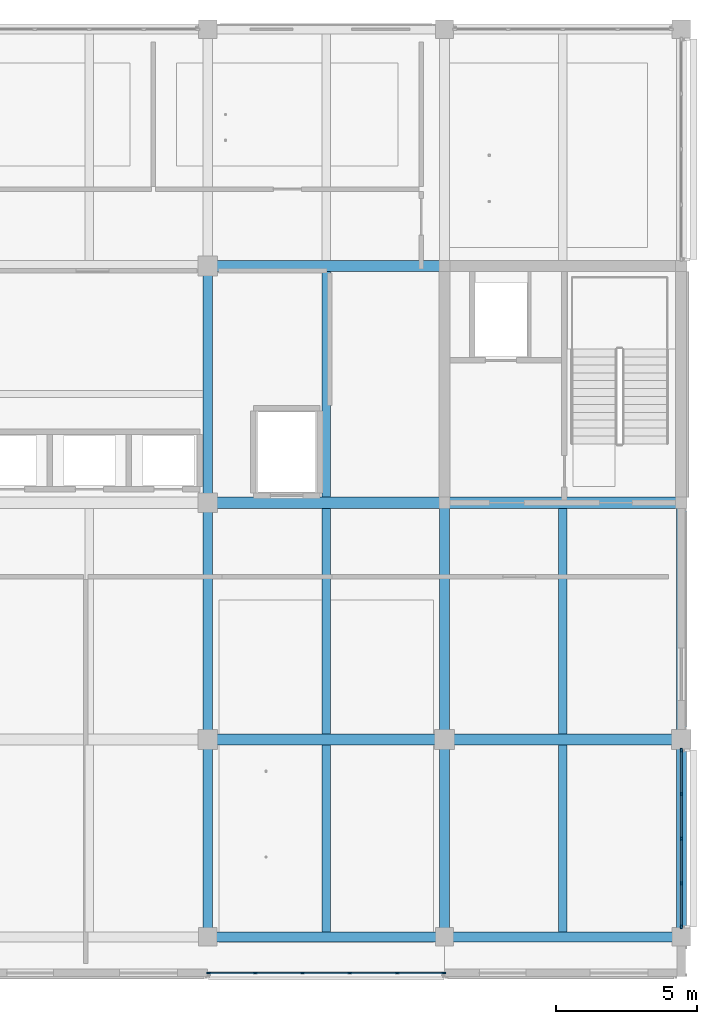
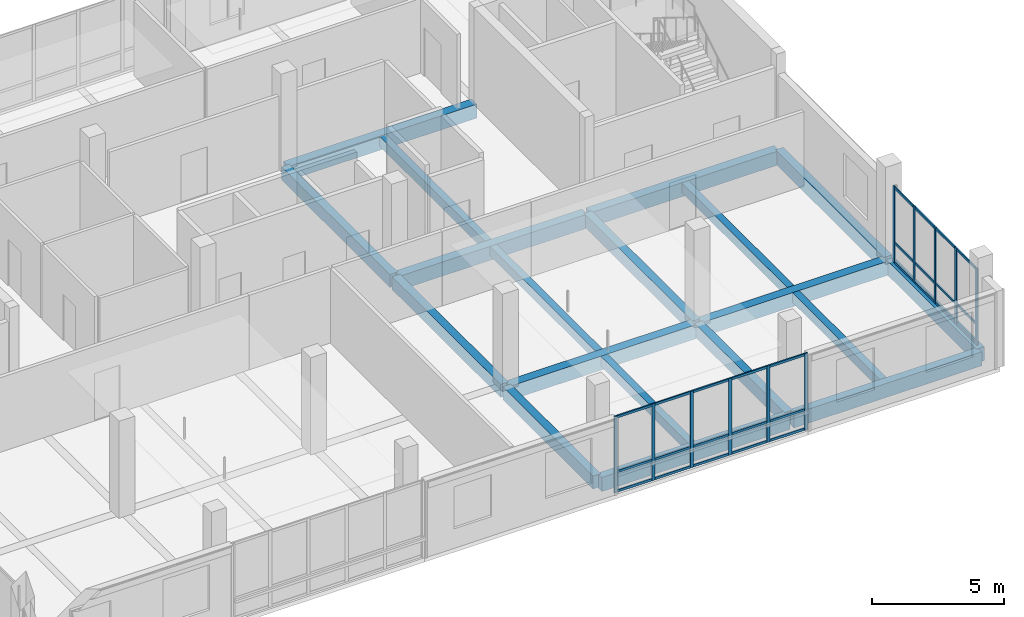
# One storey, part 4 of 28: 38 members, 19 beams, 2 elements without a shape of their own.
"""IFC4 building model written with IfcOpenShell, lengths in metres."""

from ifc_helpers import new_model, si_unit, direction, frame, origin, origin_2d, place, context, subcontext, project, spatial, rectangle, extrude, material, layer, layer_set, material_profile, profile_set, type_object, element, aggregate, save


model = new_model("IFC4")

# Units and contexts
model_context = context("Model", 3, precision=1e-05, world=origin(), true_north=direction((0.0, 1.0)))
body_context = subcontext(model_context, "Body", "Model", "MODEL_VIEW")
ifc_project = project(units=[si_unit("LENGTHUNIT", "METRE"), si_unit("AREAUNIT", "SQUARE_METRE"), si_unit("VOLUMEUNIT", "CUBIC_METRE"), si_unit("PLANEANGLEUNIT", "RADIAN"), si_unit("MASSUNIT", "GRAM", prefix="KILO")], contexts=[model_context])

# Site, building, storey
site_placement = place(None, origin())
site = spatial("IfcSite", under=ifc_project, at=site_placement, CompositionType="ELEMENT")
building_placement = place(site_placement, origin())
building = spatial("IfcBuilding", under=site, at=building_placement, Name="Telukmera Botanical Conservatory", CompositionType="ELEMENT")
storey_placement = place(building_placement, frame((0.0, 0.0, 51.0)))
storey = spatial("IfcBuildingStorey", under=building, at=storey_placement, Name="L11", CompositionType="ELEMENT", Elevation=51.0)

# Beams
ifc_material_1 = material(Name="Concrete C40/50", Category="concrete")
ifc_material_profile_1 = material_profile(ifc_material_1, rectangle(XDim=0.300048828125, YDim=0.449951171875, at=origin_2d()), Name="RC 300x450")
ifc_profile_set_1 = profile_set([ifc_material_profile_1], Name="Concrete C40/50")
beam_type_1 = type_object("IfcBeamType", Name="Beam_B25", PredefinedType="JOIST", material=ifc_profile_set_1)
beam_1_placement = place(storey_placement, frame((88.199951171875, 10.77490234375, -0.22509765625), z_axis=(0.0, 1.0, 0.0), x_axis=(-1.0, 0.0, 0.0)))
element("IfcBeam", 1, at=beam_1_placement, inside=storey, type_object=beam_type_1, Name="Tower Secondary Floor Joist L11", PredefinedType="JOIST", context=body_context, shape_type="SweptSolid", body=[
    extrude(rectangle(XDim=0.300048828125, YDim=0.449951171875, at=origin_2d()), origin(), (0.0, 0.0, 1.0), 6.625),
])
for number, where, z_axis, x_axis, name in (
    (2, (88.199951171875, 17.800048828125, -0.22509765625), (0.0, 1.0, 0.0), (-1.0, 0.0, 0.0), "Tower Secondary Floor Joist L11"),
    (3, (88.199951171875, 26.199951171875, -0.22509765625), (0.0, 1.0, 0.0), (-1.0, 0.0, 0.0), "Tower Secondary Floor Joist L11"),
):
    element("IfcBeam", number, at=place(storey_placement, frame(where, z_axis=z_axis, x_axis=x_axis)), inside=storey, type_object=beam_type_1, Name=name, PredefinedType="JOIST", context=body_context, shape_type="SweptSolid", body=[
        extrude(rectangle(XDim=0.300048828125, YDim=0.449951171875, at=origin_2d()), origin(), (0.0, 0.0, 1.0), 8.0),
    ])
beam_2_placement = place(storey_placement, frame((96.60009765625, 10.77490234375, -0.22509765625), z_axis=(0.0, 1.0, 0.0), x_axis=(-1.0, 0.0, 0.0)))
element("IfcBeam", 4, at=beam_2_placement, inside=storey, type_object=beam_type_1, Name="Tower Secondary Floor Joist L11", PredefinedType="JOIST", context=body_context, shape_type="SweptSolid", body=[
    extrude(rectangle(XDim=0.300048828125, YDim=0.449951171875, at=origin_2d()), origin(), (0.0, 0.0, 1.0), 6.625),
])
beam_3_placement = place(storey_placement, frame((96.60009765625, 17.800048828125, -0.22509765625), z_axis=(0.0, 1.0, 0.0), x_axis=(-1.0, 0.0, 0.0)))
element("IfcBeam", 5, at=beam_3_placement, inside=storey, type_object=beam_type_1, Name="Tower Secondary Floor Joist L11", PredefinedType="JOIST", context=body_context, shape_type="SweptSolid", body=[
    extrude(rectangle(XDim=0.300048828125, YDim=0.449951171875, at=origin_2d()), origin(), (0.0, 0.0, 1.0), 8.0),
])
ifc_material_profile_2 = material_profile(ifc_material_1, rectangle(XDim=0.39990234375, YDim=0.64990234375, at=origin_2d()), Name="RC 400x650")
ifc_profile_set_2 = profile_set([ifc_material_profile_2], Name="Concrete C40/50")
beam_type_2 = type_object("IfcBeamType", Name="Beam_B8", PredefinedType="BEAM", material=ifc_profile_set_2)
for number, where, z_axis, x_axis, name in (
    (6, (84.080078125, 17.60009765625, -0.324951171875), (1.0, 0.0, 0.0), (0.0, 1.0, 0.0), "Tower Grid Beam L11"),
    (7, (92.47998046875, 17.60009765625, -0.324951171875), (1.0, 0.0, 0.0), (0.0, 1.0, 0.0), "Tower Grid Beam L11"),
    (8, (84.080078125, 26.0, -0.324951171875), (1.0, 0.0, 0.0), (0.0, 1.0, 0.0), "Tower Grid Beam L11"),
    (9, (92.47998046875, 26.0, -0.324951171875), (1.0, 0.0, 0.0), (0.0, 1.0, 0.0), "Tower Grid Beam L11"),
    (10, (84.080078125, 34.39990234375, -0.324951171875), (1.0, 0.0, 0.0), (0.0, 1.0, 0.0), "Tower Grid Beam L11"),
):
    element("IfcBeam", number, at=place(storey_placement, frame(where, z_axis=z_axis, x_axis=x_axis)), inside=storey, type_object=beam_type_2, Name=name, PredefinedType="BEAM", context=body_context, shape_type="SweptSolid", body=[
        extrude(rectangle(XDim=0.39990234375, YDim=0.64990234375, at=origin_2d()), origin(), (0.0, 0.0, 1.0), 8.239990234375),
    ])
ifc_material_profile_3 = material_profile(ifc_material_1, rectangle(XDim=0.35009765625, YDim=0.60009765625, at=origin_2d()), Name="RC 350x600")
ifc_profile_set_3 = profile_set([ifc_material_profile_3], Name="Concrete C40/50")
beam_type_3 = type_object("IfcBeamType", Name="Beam_B9", PredefinedType="BEAM", material=ifc_profile_set_3)
beam_4_placement = place(storey_placement, frame((84.0, 10.679931640625, -0.300048828125), z_axis=(0.0, 1.0, 0.0), x_axis=(-1.0, 0.0, 0.0)))
element("IfcBeam", 11, at=beam_4_placement, inside=storey, type_object=beam_type_3, Name="Tower Transverse Beam L11", PredefinedType="BEAM", context=body_context, shape_type="SweptSolid", body=[
    extrude(rectangle(XDim=0.35009765625, YDim=0.60009765625, at=origin_2d()), origin(), (0.0, 0.0, 1.0), 6.840087890625),
])
for number, where, z_axis, x_axis, name in (
    (12, (84.0, 17.679931640625, -0.300048828125), (0.0, 1.0, 0.0), (-1.0, 0.0, 0.0), "Tower Transverse Beam L11"),
    (13, (84.0, 26.080078125, -0.300048828125), (0.0, 1.0, 0.0), (-1.0, 0.0, 0.0), "Tower Transverse Beam L11"),
):
    element("IfcBeam", number, at=place(storey_placement, frame(where, z_axis=z_axis, x_axis=x_axis)), inside=storey, type_object=beam_type_3, Name=name, PredefinedType="BEAM", context=body_context, shape_type="SweptSolid", body=[
        extrude(rectangle(XDim=0.35009765625, YDim=0.60009765625, at=origin_2d()), origin(), (0.0, 0.0, 1.0), 8.239990234375),
    ])
beam_5_placement = place(storey_placement, frame((92.39990234375, 10.679931640625, -0.300048828125), z_axis=(0.0, 1.0, 0.0), x_axis=(-1.0, 0.0, 0.0)))
element("IfcBeam", 14, at=beam_5_placement, inside=storey, type_object=beam_type_3, Name="Tower Transverse Beam L11", PredefinedType="BEAM", context=body_context, shape_type="SweptSolid", body=[
    extrude(rectangle(XDim=0.35009765625, YDim=0.60009765625, at=origin_2d()), origin(), (0.0, 0.0, 1.0), 6.840087890625),
])
beam_6_placement = place(storey_placement, frame((92.39990234375, 17.679931640625, -0.300048828125), z_axis=(0.0, 1.0, 0.0), x_axis=(-1.0, 0.0, 0.0)))
element("IfcBeam", 15, at=beam_6_placement, inside=storey, type_object=beam_type_3, Name="Tower Transverse Beam L11", PredefinedType="BEAM", context=body_context, shape_type="SweptSolid", body=[
    extrude(rectangle(XDim=0.35009765625, YDim=0.60009765625, at=origin_2d()), origin(), (0.0, 0.0, 1.0), 8.239990234375),
])
ifc_material_2 = material(Name="Precast concrete C40/50", Category="concrete")
ifc_material_profile_4 = material_profile(ifc_material_2, rectangle(XDim=0.35009765625, YDim=0.64990234375, at=origin_2d()), Name="PC 350x650")
ifc_profile_set_4 = profile_set([ifc_material_profile_4], Name="Precast concrete C40/50")
beam_type_4 = type_object("IfcBeamType", Name="Beam_SP3", PredefinedType="SPANDREL", material=ifc_profile_set_4)
for number, where, z_axis, x_axis, name in (
    (16, (84.080078125, 10.60009765625, -0.324951171875), (1.0, 0.0, 0.0), (0.0, 1.0, 0.0), "Tower Grid Beam L11"),
    (17, (92.47998046875, 10.60009765625, -0.324951171875), (1.0, 0.0, 0.0), (0.0, 1.0, 0.0), "Tower Grid Beam L11"),
):
    element("IfcBeam", number, at=place(storey_placement, frame(where, z_axis=z_axis, x_axis=x_axis)), inside=storey, type_object=beam_type_4, Name=name, PredefinedType="SPANDREL", context=body_context, shape_type="SweptSolid", body=[
        extrude(rectangle(XDim=0.35009765625, YDim=0.64990234375, at=origin_2d()), origin(), (0.0, 0.0, 1.0), 8.239990234375),
    ])
beam_7_placement = place(storey_placement, frame((100.800048828125, 10.679931640625, -0.324951171875), z_axis=(0.0, 1.0, 0.0), x_axis=(-1.0, 0.0, 0.0)))
element("IfcBeam", 18, at=beam_7_placement, inside=storey, type_object=beam_type_4, Name="Tower Transverse Beam L11", PredefinedType="SPANDREL", context=body_context, shape_type="SweptSolid", body=[
    extrude(rectangle(XDim=0.35009765625, YDim=0.64990234375, at=origin_2d()), origin(), (0.0, 0.0, 1.0), 6.840087890625),
])
beam_8_placement = place(storey_placement, frame((100.800048828125, 17.679931640625, -0.324951171875), z_axis=(0.0, 1.0, 0.0), x_axis=(-1.0, 0.0, 0.0)))
element("IfcBeam", 19, at=beam_8_placement, inside=storey, type_object=beam_type_4, Name="Tower Transverse Beam L11", PredefinedType="SPANDREL", context=body_context, shape_type="SweptSolid", body=[
    extrude(rectangle(XDim=0.35009765625, YDim=0.64990234375, at=origin_2d()), origin(), (0.0, 0.0, 1.0), 8.239990234375),
])

# Curtain wall, members
ifc_material_3 = material(Name="Anodised aluminium 6063-T6", Category="aluminium")
ifc_layer = layer(ifc_material_3, 0.179931640625)
ifc_layer_set = layer_set([ifc_layer], Name="Anodised aluminium 6063-T6")
curtain_wall_type = type_object("IfcCurtainWallType", Name="Tower Research Laboratory Unitised Curtain Wall", PredefinedType="USERDEFINED", material=ifc_layer_set)
curtain_wall_1_placement = place(storey_placement, origin())
curtain_wall_1 = element("IfcCurtainWall", 20, at=curtain_wall_1_placement, inside=storey, type_object=curtain_wall_type, Name="Unitised Curtain Wall CW15 V4:L11:S4", ObjectType="UNITISED CURTAIN WALL", PredefinedType="USERDEFINED")
ifc_material_profile_5 = material_profile(ifc_material_3, rectangle(XDim=0.06005859375, YDim=0.139892578125, at=origin_2d()), Name="ALU MULL 60x140")
ifc_profile_set_5 = profile_set([ifc_material_profile_5], Name="Anodised aluminium 6063-T6")
member_type_1 = type_object("IfcMemberType", Name="Curtain Wall Extruded Mullion 60x140", PredefinedType="MULLION", material=ifc_profile_set_5)
member_1_placement = place(storey_placement, frame((84.031982421875, 9.320068359375, 0.0), z_axis=(0.0, 0.0, 1.0), x_axis=(0.0, 1.0, 0.0)))
member_1 = element("IfcMember", 21, at=member_1_placement, type_object=member_type_1, Name="CW15 mullion 1", PredefinedType="MULLION", context=body_context, shape_type="SweptSolid", body=[
    extrude(rectangle(XDim=0.06005859375, YDim=0.139892578125, at=origin_2d()), origin(), (0.0, 0.0, 1.0), 3.550048828125),
])
member_2_placement = place(storey_placement, frame((85.68115234375, 9.320068359375, 0.0), z_axis=(0.0, 0.0, 1.0), x_axis=(0.0, 1.0, 0.0)))
member_2 = element("IfcMember", 22, at=member_2_placement, type_object=member_type_1, Name="CW15 mullion 2", PredefinedType="MULLION", context=body_context, shape_type="SweptSolid", body=[
    extrude(rectangle(XDim=0.06005859375, YDim=0.139892578125, at=origin_2d()), origin(), (0.0, 0.0, 1.0), 3.550048828125),
])
member_3_placement = place(storey_placement, frame((87.3603515625, 9.320068359375, 0.0), z_axis=(0.0, 0.0, 1.0), x_axis=(0.0, 1.0, 0.0)))
member_3 = element("IfcMember", 23, at=member_3_placement, type_object=member_type_1, Name="CW15 mullion 3", PredefinedType="MULLION", context=body_context, shape_type="SweptSolid", body=[
    extrude(rectangle(XDim=0.06005859375, YDim=0.139892578125, at=origin_2d()), origin(), (0.0, 0.0, 1.0), 3.550048828125),
])
member_4_placement = place(storey_placement, frame((89.03955078125, 9.320068359375, 0.0), z_axis=(0.0, 0.0, 1.0), x_axis=(0.0, 1.0, 0.0)))
member_4 = element("IfcMember", 24, at=member_4_placement, type_object=member_type_1, Name="CW15 mullion 4", PredefinedType="MULLION", context=body_context, shape_type="SweptSolid", body=[
    extrude(rectangle(XDim=0.06005859375, YDim=0.139892578125, at=origin_2d()), origin(), (0.0, 0.0, 1.0), 3.550048828125),
])
member_5_placement = place(storey_placement, frame((90.71875, 9.320068359375, 0.0), z_axis=(0.0, 0.0, 1.0), x_axis=(0.0, 1.0, 0.0)))
member_5 = element("IfcMember", 25, at=member_5_placement, type_object=member_type_1, Name="CW15 mullion 5", PredefinedType="MULLION", context=body_context, shape_type="SweptSolid", body=[
    extrude(rectangle(XDim=0.06005859375, YDim=0.139892578125, at=origin_2d()), origin(), (0.0, 0.0, 1.0), 3.550048828125),
])
member_6_placement = place(storey_placement, frame((92.367919921875, 9.320068359375, 0.0), z_axis=(0.0, 0.0, 1.0), x_axis=(0.0, 1.0, 0.0)))
member_6 = element("IfcMember", 26, at=member_6_placement, type_object=member_type_1, Name="CW15 mullion 6", PredefinedType="MULLION", context=body_context, shape_type="SweptSolid", body=[
    extrude(rectangle(XDim=0.06005859375, YDim=0.139892578125, at=origin_2d()), origin(), (0.0, 0.0, 1.0), 3.550048828125),
])

curtain_wall_2_placement = place(storey_placement, origin())
curtain_wall_2 = element("IfcCurtainWall", 27, at=curtain_wall_2_placement, inside=storey, type_object=curtain_wall_type, Name="Unitised Curtain Wall CW15 V4:L11:E1", ObjectType="UNITISED CURTAIN WALL", PredefinedType="USERDEFINED")
member_7_placement = place(storey_placement, frame((100.800048828125, 10.95703125, 0.0), z_axis=(0.0, 0.0, 1.0), x_axis=(-1.0, 0.0, 0.0)))
member_7 = element("IfcMember", 28, at=member_7_placement, type_object=member_type_1, Name="CW15 mullion 1", PredefinedType="MULLION", context=body_context, shape_type="SweptSolid", body=[
    extrude(rectangle(XDim=0.06005859375, YDim=0.139892578125, at=origin_2d()), origin(), (0.0, 0.0, 1.0), 3.550048828125),
])
member_8_placement = place(storey_placement, frame((100.800048828125, 12.50732421875, 0.0), z_axis=(0.0, 0.0, 1.0), x_axis=(-1.0, 0.0, 0.0)))
member_8 = element("IfcMember", 29, at=member_8_placement, type_object=member_type_1, Name="CW15 mullion 2", PredefinedType="MULLION", context=body_context, shape_type="SweptSolid", body=[
    extrude(rectangle(XDim=0.06005859375, YDim=0.139892578125, at=origin_2d()), origin(), (0.0, 0.0, 1.0), 3.550048828125),
])
member_9_placement = place(storey_placement, frame((100.800048828125, 14.08740234375, 0.0), z_axis=(0.0, 0.0, 1.0), x_axis=(-1.0, 0.0, 0.0)))
member_9 = element("IfcMember", 30, at=member_9_placement, type_object=member_type_1, Name="CW15 mullion 3", PredefinedType="MULLION", context=body_context, shape_type="SweptSolid", body=[
    extrude(rectangle(XDim=0.06005859375, YDim=0.139892578125, at=origin_2d()), origin(), (0.0, 0.0, 1.0), 3.550048828125),
])
member_10_placement = place(storey_placement, frame((100.800048828125, 15.667724609375, 0.0), z_axis=(0.0, 0.0, 1.0), x_axis=(-1.0, 0.0, 0.0)))
member_10 = element("IfcMember", 31, at=member_10_placement, type_object=member_type_1, Name="CW15 mullion 4", PredefinedType="MULLION", context=body_context, shape_type="SweptSolid", body=[
    extrude(rectangle(XDim=0.06005859375, YDim=0.139892578125, at=origin_2d()), origin(), (0.0, 0.0, 1.0), 3.550048828125),
])
member_11_placement = place(storey_placement, frame((100.800048828125, 17.218017578125, 0.0), z_axis=(0.0, 0.0, 1.0), x_axis=(-1.0, 0.0, 0.0)))
member_11 = element("IfcMember", 32, at=member_11_placement, type_object=member_type_1, Name="CW15 mullion 5", PredefinedType="MULLION", context=body_context, shape_type="SweptSolid", body=[
    extrude(rectangle(XDim=0.06005859375, YDim=0.139892578125, at=origin_2d()), origin(), (0.0, 0.0, 1.0), 3.550048828125),
])

# Member
ifc_material_profile_6 = material_profile(ifc_material_3, rectangle(XDim=0.06005859375, YDim=0.110107421875, at=origin_2d()), Name="ALU TRAN 60x110")
ifc_profile_set_6 = profile_set([ifc_material_profile_6], Name="Anodised aluminium 6063-T6")
member_type_2 = type_object("IfcMemberType", Name="Curtain Wall Extruded Transom 60x110", PredefinedType="USERDEFINED", material=ifc_profile_set_6)
member_12_placement = place(storey_placement, frame((84.06201171875, 9.320068359375, 0.054931640625), z_axis=(1.0, 0.0, 0.0), x_axis=(0.0, 1.0, 0.0)))
member_12 = element("IfcMember", 33, at=member_12_placement, type_object=member_type_2, Name="CW15 transom 1.1", ObjectType="TRANSOM", PredefinedType="USERDEFINED", context=body_context, shape_type="SweptSolid", body=[
    extrude(rectangle(XDim=0.06005859375, YDim=0.110107421875, at=origin_2d()), origin(), (0.0, 0.0, 1.0), 1.589111328125),
])

member_13_placement = place(storey_placement, frame((84.06201171875, 9.320068359375, 0.949951171875), z_axis=(1.0, 0.0, 0.0), x_axis=(0.0, 1.0, 0.0)))
member_13 = element("IfcMember", 34, at=member_13_placement, type_object=member_type_2, Name="CW15 transom 1.2", ObjectType="TRANSOM", PredefinedType="USERDEFINED", context=body_context, shape_type="SweptSolid", body=[
    extrude(rectangle(XDim=0.06005859375, YDim=0.110107421875, at=origin_2d()), origin(), (0.0, 0.0, 1.0), 1.589111328125),
])

member_14_placement = place(storey_placement, frame((84.06201171875, 9.320068359375, 3.4951171875), z_axis=(1.0, 0.0, 0.0), x_axis=(0.0, 1.0, 0.0)))
member_14 = element("IfcMember", 35, at=member_14_placement, type_object=member_type_2, Name="CW15 transom 1.3", ObjectType="TRANSOM", PredefinedType="USERDEFINED", context=body_context, shape_type="SweptSolid", body=[
    extrude(rectangle(XDim=0.06005859375, YDim=0.110107421875, at=origin_2d()), origin(), (0.0, 0.0, 1.0), 1.589111328125),
])

member_15_placement = place(storey_placement, frame((85.711181640625, 9.320068359375, 0.054931640625), z_axis=(1.0, 0.0, 0.0), x_axis=(0.0, 1.0, 0.0)))
member_15 = element("IfcMember", 36, at=member_15_placement, type_object=member_type_2, Name="CW15 transom 2.1", ObjectType="TRANSOM", PredefinedType="USERDEFINED", context=body_context, shape_type="SweptSolid", body=[
    extrude(rectangle(XDim=0.06005859375, YDim=0.110107421875, at=origin_2d()), origin(), (0.0, 0.0, 1.0), 1.619140625),
])

member_16_placement = place(storey_placement, frame((85.711181640625, 9.320068359375, 0.949951171875), z_axis=(1.0, 0.0, 0.0), x_axis=(0.0, 1.0, 0.0)))
member_16 = element("IfcMember", 37, at=member_16_placement, type_object=member_type_2, Name="CW15 transom 2.2", ObjectType="TRANSOM", PredefinedType="USERDEFINED", context=body_context, shape_type="SweptSolid", body=[
    extrude(rectangle(XDim=0.06005859375, YDim=0.110107421875, at=origin_2d()), origin(), (0.0, 0.0, 1.0), 1.619140625),
])

member_17_placement = place(storey_placement, frame((85.711181640625, 9.320068359375, 3.4951171875), z_axis=(1.0, 0.0, 0.0), x_axis=(0.0, 1.0, 0.0)))
member_17 = element("IfcMember", 38, at=member_17_placement, type_object=member_type_2, Name="CW15 transom 2.3", ObjectType="TRANSOM", PredefinedType="USERDEFINED", context=body_context, shape_type="SweptSolid", body=[
    extrude(rectangle(XDim=0.06005859375, YDim=0.110107421875, at=origin_2d()), origin(), (0.0, 0.0, 1.0), 1.619140625),
])

member_18_placement = place(storey_placement, frame((87.390380859375, 9.320068359375, 0.054931640625), z_axis=(1.0, 0.0, 0.0), x_axis=(0.0, 1.0, 0.0)))
member_18 = element("IfcMember", 39, at=member_18_placement, type_object=member_type_2, Name="CW15 transom 3.1", ObjectType="TRANSOM", PredefinedType="USERDEFINED", context=body_context, shape_type="SweptSolid", body=[
    extrude(rectangle(XDim=0.06005859375, YDim=0.110107421875, at=origin_2d()), origin(), (0.0, 0.0, 1.0), 1.619140625),
])

member_19_placement = place(storey_placement, frame((87.390380859375, 9.320068359375, 0.949951171875), z_axis=(1.0, 0.0, 0.0), x_axis=(0.0, 1.0, 0.0)))
member_19 = element("IfcMember", 40, at=member_19_placement, type_object=member_type_2, Name="CW15 transom 3.2", ObjectType="TRANSOM", PredefinedType="USERDEFINED", context=body_context, shape_type="SweptSolid", body=[
    extrude(rectangle(XDim=0.06005859375, YDim=0.110107421875, at=origin_2d()), origin(), (0.0, 0.0, 1.0), 1.619140625),
])

member_20_placement = place(storey_placement, frame((87.390380859375, 9.320068359375, 3.4951171875), z_axis=(1.0, 0.0, 0.0), x_axis=(0.0, 1.0, 0.0)))
member_20 = element("IfcMember", 41, at=member_20_placement, type_object=member_type_2, Name="CW15 transom 3.3", ObjectType="TRANSOM", PredefinedType="USERDEFINED", context=body_context, shape_type="SweptSolid", body=[
    extrude(rectangle(XDim=0.06005859375, YDim=0.110107421875, at=origin_2d()), origin(), (0.0, 0.0, 1.0), 1.619140625),
])

member_21_placement = place(storey_placement, frame((89.069580078125, 9.320068359375, 0.054931640625), z_axis=(1.0, 0.0, 0.0), x_axis=(0.0, 1.0, 0.0)))
member_21 = element("IfcMember", 42, at=member_21_placement, type_object=member_type_2, Name="CW15 transom 4.1", ObjectType="TRANSOM", PredefinedType="USERDEFINED", context=body_context, shape_type="SweptSolid", body=[
    extrude(rectangle(XDim=0.06005859375, YDim=0.110107421875, at=origin_2d()), origin(), (0.0, 0.0, 1.0), 1.619140625),
])

member_22_placement = place(storey_placement, frame((89.069580078125, 9.320068359375, 0.949951171875), z_axis=(1.0, 0.0, 0.0), x_axis=(0.0, 1.0, 0.0)))
member_22 = element("IfcMember", 43, at=member_22_placement, type_object=member_type_2, Name="CW15 transom 4.2", ObjectType="TRANSOM", PredefinedType="USERDEFINED", context=body_context, shape_type="SweptSolid", body=[
    extrude(rectangle(XDim=0.06005859375, YDim=0.110107421875, at=origin_2d()), origin(), (0.0, 0.0, 1.0), 1.619140625),
])

member_23_placement = place(storey_placement, frame((89.069580078125, 9.320068359375, 3.4951171875), z_axis=(1.0, 0.0, 0.0), x_axis=(0.0, 1.0, 0.0)))
member_23 = element("IfcMember", 44, at=member_23_placement, type_object=member_type_2, Name="CW15 transom 4.3", ObjectType="TRANSOM", PredefinedType="USERDEFINED", context=body_context, shape_type="SweptSolid", body=[
    extrude(rectangle(XDim=0.06005859375, YDim=0.110107421875, at=origin_2d()), origin(), (0.0, 0.0, 1.0), 1.619140625),
])

member_24_placement = place(storey_placement, frame((90.748779296875, 9.320068359375, 0.054931640625), z_axis=(1.0, 0.0, 0.0), x_axis=(0.0, 1.0, 0.0)))
member_24 = element("IfcMember", 45, at=member_24_placement, type_object=member_type_2, Name="CW15 transom 5.1", ObjectType="TRANSOM", PredefinedType="USERDEFINED", context=body_context, shape_type="SweptSolid", body=[
    extrude(rectangle(XDim=0.06005859375, YDim=0.110107421875, at=origin_2d()), origin(), (0.0, 0.0, 1.0), 1.589111328125),
])

member_25_placement = place(storey_placement, frame((90.748779296875, 9.320068359375, 0.949951171875), z_axis=(1.0, 0.0, 0.0), x_axis=(0.0, 1.0, 0.0)))
member_25 = element("IfcMember", 46, at=member_25_placement, type_object=member_type_2, Name="CW15 transom 5.2", ObjectType="TRANSOM", PredefinedType="USERDEFINED", context=body_context, shape_type="SweptSolid", body=[
    extrude(rectangle(XDim=0.06005859375, YDim=0.110107421875, at=origin_2d()), origin(), (0.0, 0.0, 1.0), 1.589111328125),
])

member_26_placement = place(storey_placement, frame((90.748779296875, 9.320068359375, 3.4951171875), z_axis=(1.0, 0.0, 0.0), x_axis=(0.0, 1.0, 0.0)))
member_26 = element("IfcMember", 47, at=member_26_placement, type_object=member_type_2, Name="CW15 transom 5.3", ObjectType="TRANSOM", PredefinedType="USERDEFINED", context=body_context, shape_type="SweptSolid", body=[
    extrude(rectangle(XDim=0.06005859375, YDim=0.110107421875, at=origin_2d()), origin(), (0.0, 0.0, 1.0), 1.589111328125),
])

aggregate(curtain_wall_1, [member_1, member_2, member_3, member_4, member_5, member_6, member_12, member_13, member_14, member_15, member_16, member_17, member_18, member_19, member_20, member_21, member_22, member_23, member_24, member_25, member_26])

member_27_placement = place(storey_placement, frame((100.800048828125, 10.987060546875, 0.054931640625), z_axis=(0.0, 1.0, 0.0), x_axis=(-1.0, 0.0, 0.0)))
member_27 = element("IfcMember", 48, at=member_27_placement, type_object=member_type_2, Name="CW15 transom 1.1", ObjectType="TRANSOM", PredefinedType="USERDEFINED", context=body_context, shape_type="SweptSolid", body=[
    extrude(rectangle(XDim=0.06005859375, YDim=0.110107421875, at=origin_2d()), origin(), (0.0, 0.0, 1.0), 1.490234375),
])

member_28_placement = place(storey_placement, frame((100.800048828125, 10.987060546875, 0.949951171875), z_axis=(0.0, 1.0, 0.0), x_axis=(-1.0, 0.0, 0.0)))
member_28 = element("IfcMember", 49, at=member_28_placement, type_object=member_type_2, Name="CW15 transom 1.2", ObjectType="TRANSOM", PredefinedType="USERDEFINED", context=body_context, shape_type="SweptSolid", body=[
    extrude(rectangle(XDim=0.06005859375, YDim=0.110107421875, at=origin_2d()), origin(), (0.0, 0.0, 1.0), 1.490234375),
])

member_29_placement = place(storey_placement, frame((100.800048828125, 10.987060546875, 3.4951171875), z_axis=(0.0, 1.0, 0.0), x_axis=(-1.0, 0.0, 0.0)))
member_29 = element("IfcMember", 50, at=member_29_placement, type_object=member_type_2, Name="CW15 transom 1.3", ObjectType="TRANSOM", PredefinedType="USERDEFINED", context=body_context, shape_type="SweptSolid", body=[
    extrude(rectangle(XDim=0.06005859375, YDim=0.110107421875, at=origin_2d()), origin(), (0.0, 0.0, 1.0), 1.490234375),
])

member_30_placement = place(storey_placement, frame((100.800048828125, 12.537353515625, 0.054931640625), z_axis=(0.0, 1.0, 0.0), x_axis=(-1.0, 0.0, 0.0)))
member_30 = element("IfcMember", 51, at=member_30_placement, type_object=member_type_2, Name="CW15 transom 2.1", ObjectType="TRANSOM", PredefinedType="USERDEFINED", context=body_context, shape_type="SweptSolid", body=[
    extrude(rectangle(XDim=0.06005859375, YDim=0.110107421875, at=origin_2d()), origin(), (0.0, 0.0, 1.0), 1.520263671875),
])

member_31_placement = place(storey_placement, frame((100.800048828125, 12.537353515625, 0.949951171875), z_axis=(0.0, 1.0, 0.0), x_axis=(-1.0, 0.0, 0.0)))
member_31 = element("IfcMember", 52, at=member_31_placement, type_object=member_type_2, Name="CW15 transom 2.2", ObjectType="TRANSOM", PredefinedType="USERDEFINED", context=body_context, shape_type="SweptSolid", body=[
    extrude(rectangle(XDim=0.06005859375, YDim=0.110107421875, at=origin_2d()), origin(), (0.0, 0.0, 1.0), 1.520263671875),
])

member_32_placement = place(storey_placement, frame((100.800048828125, 12.537353515625, 3.4951171875), z_axis=(0.0, 1.0, 0.0), x_axis=(-1.0, 0.0, 0.0)))
member_32 = element("IfcMember", 53, at=member_32_placement, type_object=member_type_2, Name="CW15 transom 2.3", ObjectType="TRANSOM", PredefinedType="USERDEFINED", context=body_context, shape_type="SweptSolid", body=[
    extrude(rectangle(XDim=0.06005859375, YDim=0.110107421875, at=origin_2d()), origin(), (0.0, 0.0, 1.0), 1.520263671875),
])

member_33_placement = place(storey_placement, frame((100.800048828125, 14.117431640625, 0.054931640625), z_axis=(0.0, 1.0, 0.0), x_axis=(-1.0, 0.0, 0.0)))
member_33 = element("IfcMember", 54, at=member_33_placement, type_object=member_type_2, Name="CW15 transom 3.1", ObjectType="TRANSOM", PredefinedType="USERDEFINED", context=body_context, shape_type="SweptSolid", body=[
    extrude(rectangle(XDim=0.06005859375, YDim=0.110107421875, at=origin_2d()), origin(), (0.0, 0.0, 1.0), 1.520263671875),
])

member_34_placement = place(storey_placement, frame((100.800048828125, 14.117431640625, 0.949951171875), z_axis=(0.0, 1.0, 0.0), x_axis=(-1.0, 0.0, 0.0)))
member_34 = element("IfcMember", 55, at=member_34_placement, type_object=member_type_2, Name="CW15 transom 3.2", ObjectType="TRANSOM", PredefinedType="USERDEFINED", context=body_context, shape_type="SweptSolid", body=[
    extrude(rectangle(XDim=0.06005859375, YDim=0.110107421875, at=origin_2d()), origin(), (0.0, 0.0, 1.0), 1.520263671875),
])

member_35_placement = place(storey_placement, frame((100.800048828125, 14.117431640625, 3.4951171875), z_axis=(0.0, 1.0, 0.0), x_axis=(-1.0, 0.0, 0.0)))
member_35 = element("IfcMember", 56, at=member_35_placement, type_object=member_type_2, Name="CW15 transom 3.3", ObjectType="TRANSOM", PredefinedType="USERDEFINED", context=body_context, shape_type="SweptSolid", body=[
    extrude(rectangle(XDim=0.06005859375, YDim=0.110107421875, at=origin_2d()), origin(), (0.0, 0.0, 1.0), 1.520263671875),
])

member_36_placement = place(storey_placement, frame((100.800048828125, 15.69775390625, 0.054931640625), z_axis=(0.0, 1.0, 0.0), x_axis=(-1.0, 0.0, 0.0)))
member_36 = element("IfcMember", 57, at=member_36_placement, type_object=member_type_2, Name="CW15 transom 4.1", ObjectType="TRANSOM", PredefinedType="USERDEFINED", context=body_context, shape_type="SweptSolid", body=[
    extrude(rectangle(XDim=0.06005859375, YDim=0.110107421875, at=origin_2d()), origin(), (0.0, 0.0, 1.0), 1.490234375),
])

member_37_placement = place(storey_placement, frame((100.800048828125, 15.69775390625, 0.949951171875), z_axis=(0.0, 1.0, 0.0), x_axis=(-1.0, 0.0, 0.0)))
member_37 = element("IfcMember", 58, at=member_37_placement, type_object=member_type_2, Name="CW15 transom 4.2", ObjectType="TRANSOM", PredefinedType="USERDEFINED", context=body_context, shape_type="SweptSolid", body=[
    extrude(rectangle(XDim=0.06005859375, YDim=0.110107421875, at=origin_2d()), origin(), (0.0, 0.0, 1.0), 1.490234375),
])

member_38_placement = place(storey_placement, frame((100.800048828125, 15.69775390625, 3.4951171875), z_axis=(0.0, 1.0, 0.0), x_axis=(-1.0, 0.0, 0.0)))
member_38 = element("IfcMember", 59, at=member_38_placement, type_object=member_type_2, Name="CW15 transom 4.3", ObjectType="TRANSOM", PredefinedType="USERDEFINED", context=body_context, shape_type="SweptSolid", body=[
    extrude(rectangle(XDim=0.06005859375, YDim=0.110107421875, at=origin_2d()), origin(), (0.0, 0.0, 1.0), 1.490234375),
])

aggregate(curtain_wall_2, [member_7, member_8, member_9, member_10, member_11, member_27, member_28, member_29, member_30, member_31, member_32, member_33, member_34, member_35, member_36, member_37, member_38])

save(model, "model.ifc")
